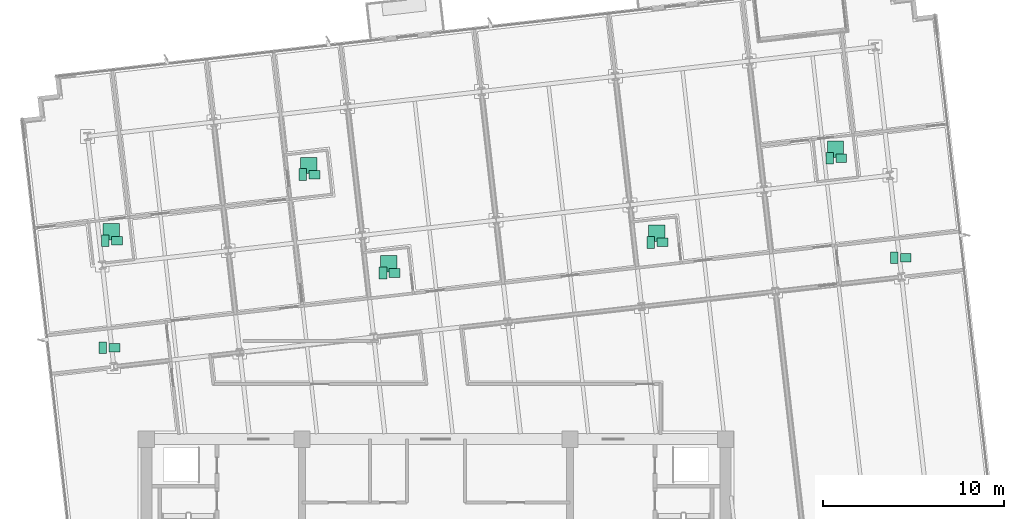
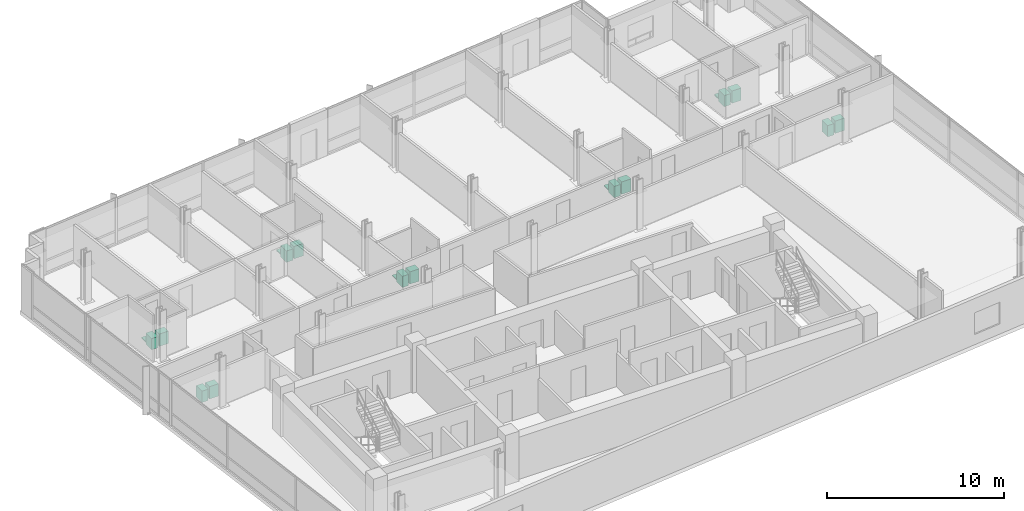
# One storey, part 16 of 16: 19 sanitary terminals.
"""IFC4 building model written with IfcOpenShell, lengths in metres."""

from ifc_helpers import new_model, si_unit, direction, frame, origin, origin_2d, place, context, subcontext, project, spatial, rectangle, extrude, material, type_object, element, save


model = new_model("IFC4")

# Units and contexts
model_context = context("Model", 3, precision=1e-05, world=origin(), true_north=direction((0.0, 1.0)))
body_context = subcontext(model_context, "Body", "Model", "MODEL_VIEW")
ifc_project = project(units=[si_unit("LENGTHUNIT", "METRE"), si_unit("AREAUNIT", "SQUARE_METRE"), si_unit("VOLUMEUNIT", "CUBIC_METRE"), si_unit("PLANEANGLEUNIT", "RADIAN"), si_unit("MASSUNIT", "GRAM", prefix="KILO")], contexts=[model_context])

# Site, building, storey
site_placement = place(None, origin())
site = spatial("IfcSite", under=ifc_project, at=site_placement, CompositionType="ELEMENT")
building_placement = place(site_placement, origin())
building = spatial("IfcBuilding", under=site, at=building_placement, Name="Solmavex Isthmus Hotel", CompositionType="ELEMENT")
storey_placement = place(building_placement, frame((0.0, 0.0, 222.75)))
storey = spatial("IfcBuildingStorey", under=building, at=storey_placement, Name="L60", CompositionType="ELEMENT", Elevation=222.75)

# Sanitary terminals
ifc_material = material(Name="Vitreous china ceramic", Category="ceramic")
sanitary_terminal_type_1 = type_object("IfcSanitaryTerminalType", Name="SAN-BASIN", PredefinedType="WASHHANDBASIN", material=ifc_material)
for number, where, z_axis, x_axis, name in (
    (1, (-17.625732421875, 8.458251953125, 0.0), (0.0, 0.0, 1.0), (1.0, 0.0, 0.0), "Vanity Washbasin L60-299"),
    (2, (-6.71630859375, 12.11669921875, 0.0), (0.0, 0.0, 1.0), (1.0, 0.0, 0.0), "Vanity Washbasin L60-300"),
    (3, (-2.28662109375, 6.685302734375, 0.0), (0.0, 0.0, 1.0), (1.0, 0.0, 0.0), "Vanity Washbasin L60-301"),
    (4, (12.509765625, 8.37109375, 0.0), (0.0, 0.0, 1.0), (1.0, 0.0, 0.0), "Vanity Washbasin L60-302"),
    (5, (22.387451171875, 13.01708984375, 0.0), (0.0, 0.0, 1.0), (1.0, 0.0, 0.0), "Vanity Washbasin L60-303"),
    (6, (-17.761474609375, 2.546875, 0.0), (0.0, 0.0, 1.0), (1.0, 0.0, 0.0), "Vanity Washbasin L60-304"),
    (7, (25.956787109375, 7.52783203125, 0.0), (0.0, 0.0, 1.0), (1.0, 0.0, 0.0), "Vanity Washbasin L60-305"),
):
    element("IfcSanitaryTerminal", number, at=place(storey_placement, frame(where, z_axis=z_axis, x_axis=x_axis)), inside=storey, type_object=sanitary_terminal_type_1, Name=name, PredefinedType="WASHHANDBASIN", context=body_context, shape_type="SweptSolid", body=[
        extrude(rectangle(XDim=0.60009765625, YDim=0.47998046875, at=origin_2d()), origin(), (0.0, 0.0, 1.0), 0.85009765625),
    ])
sanitary_terminal_type_2 = type_object("IfcSanitaryTerminalType", Name="SAN-SHOWER", PredefinedType="SHOWER", material=ifc_material)
for number, where, z_axis, x_axis, name in (
    (8, (-17.94580078125, 8.958251953125, 0.0), (0.0, 0.0, 1.0), (1.0, 0.0, 0.0), "Walk-In Shower L60-299"),
    (9, (-7.036376953125, 12.61669921875, 0.0), (0.0, 0.0, 1.0), (1.0, 0.0, 0.0), "Walk-In Shower L60-300"),
    (10, (-2.6064453125, 7.185302734375, 0.0), (0.0, 0.0, 1.0), (1.0, 0.0, 0.0), "Walk-In Shower L60-301"),
    (11, (12.189697265625, 8.87109375, 0.0), (0.0, 0.0, 1.0), (1.0, 0.0, 0.0), "Walk-In Shower L60-302"),
    (12, (22.0673828125, 13.51708984375, 0.0), (0.0, 0.0, 1.0), (1.0, 0.0, 0.0), "Walk-In Shower L60-303"),
):
    element("IfcSanitaryTerminal", number, at=place(storey_placement, frame(where, z_axis=z_axis, x_axis=x_axis)), inside=storey, type_object=sanitary_terminal_type_2, Name=name, PredefinedType="SHOWER", context=body_context, shape_type="SweptSolid", body=[
        extrude(rectangle(XDim=0.89990234375, YDim=0.89990234375, at=origin_2d()), origin(), (0.0, 0.0, 1.0), 0.080078125),
    ])
sanitary_terminal_type_3 = type_object("IfcSanitaryTerminalType", Name="SAN-WC-SUITE", PredefinedType="TOILETPAN", material=ifc_material)
for number, where, z_axis, x_axis, name in (
    (13, (-18.265869140625, 8.458251953125, 0.0), (0.0, 0.0, 1.0), (1.0, 0.0, 0.0), "Water Closet L60-299"),
    (14, (-7.356201171875, 12.11669921875, 0.0), (0.0, 0.0, 1.0), (1.0, 0.0, 0.0), "Water Closet L60-300"),
    (15, (-2.926513671875, 6.685302734375, 0.0), (0.0, 0.0, 1.0), (1.0, 0.0, 0.0), "Water Closet L60-301"),
    (16, (11.869873046875, 8.37109375, 0.0), (0.0, 0.0, 1.0), (1.0, 0.0, 0.0), "Water Closet L60-302"),
    (17, (21.747314453125, 13.01708984375, 0.0), (0.0, 0.0, 1.0), (1.0, 0.0, 0.0), "Water Closet L60-303"),
    (18, (-18.401611328125, 2.546875, 0.0), (0.0, 0.0, 1.0), (1.0, 0.0, 0.0), "Water Closet L60-304"),
    (19, (25.316650390625, 7.52783203125, 0.0), (0.0, 0.0, 1.0), (1.0, 0.0, 0.0), "Water Closet L60-305"),
):
    element("IfcSanitaryTerminal", number, at=place(storey_placement, frame(where, z_axis=z_axis, x_axis=x_axis)), inside=storey, type_object=sanitary_terminal_type_3, Name=name, PredefinedType="TOILETPAN", context=body_context, shape_type="SweptSolid", body=[
        extrude(rectangle(XDim=0.419921875, YDim=0.64990234375, at=origin_2d()), origin(), (0.0, 0.0, 1.0), 0.780029296875),
    ])

save(model, "model.ifc")
